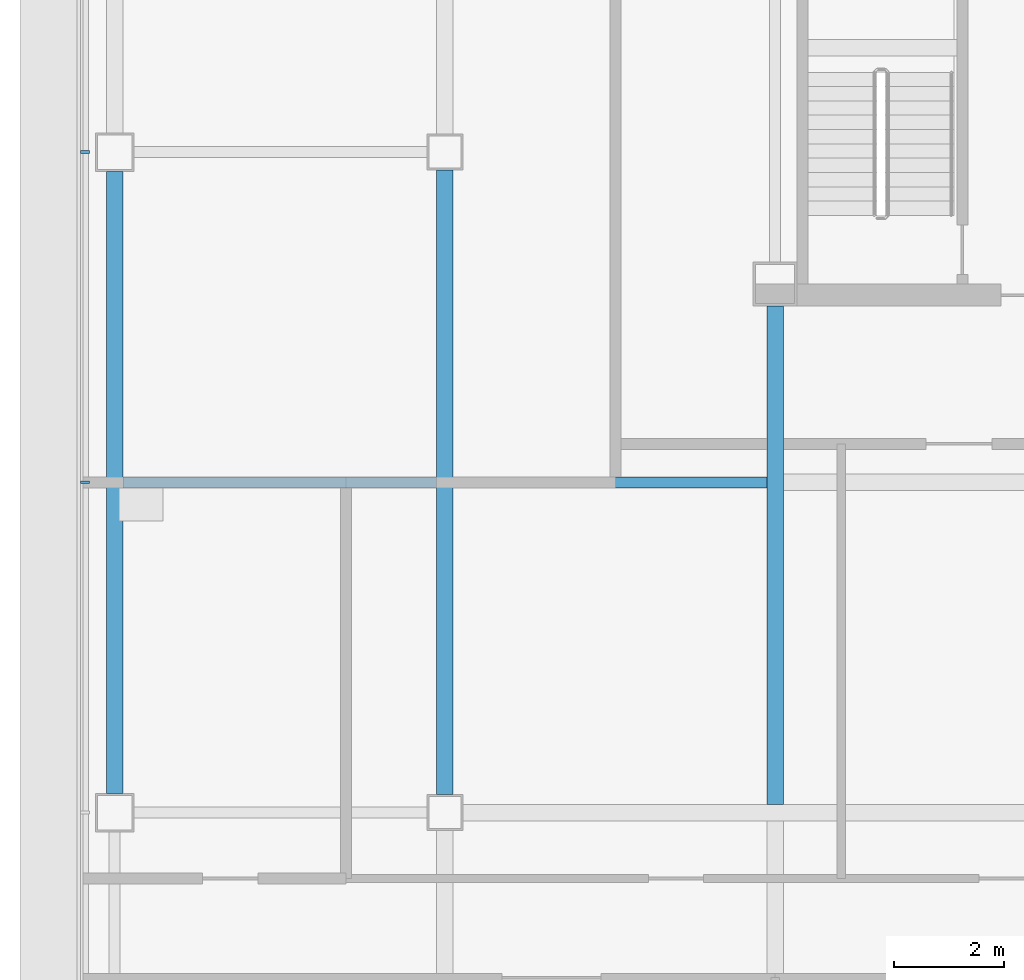
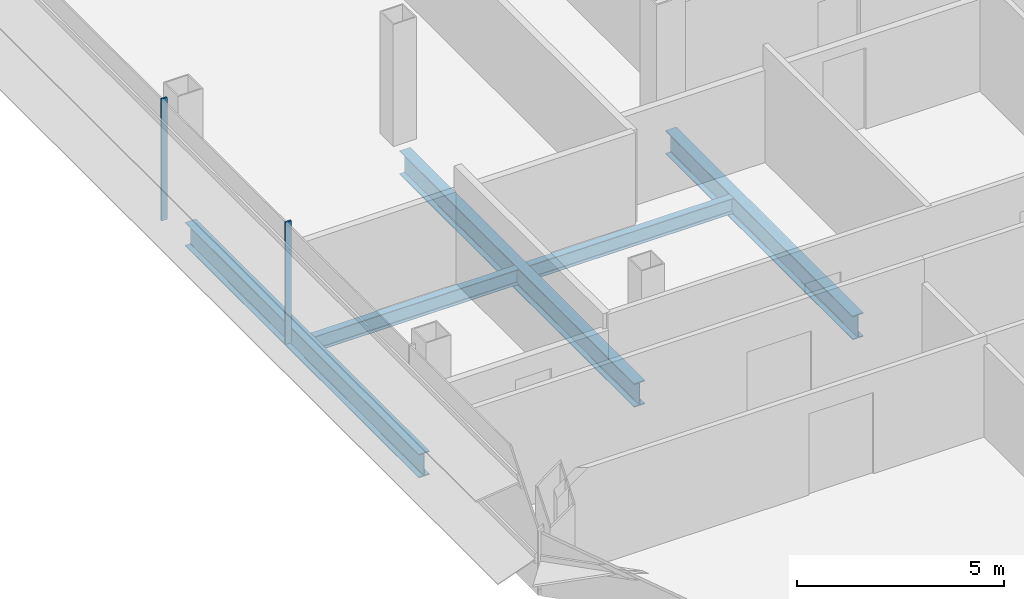
# One storey, part 4 of 26: 5 beams, 2 members, 1 element without a shape of its own.
"""IFC4 building model written with IfcOpenShell, lengths in metres."""

from ifc_helpers import new_model, si_unit, direction, frame, origin, origin_2d, place, context, subcontext, project, spatial, rectangle, i_section, extrude, material, material_profile, profile_set, type_object, element, aggregate, save


model = new_model("IFC4")

# Units and contexts
model_context = context("Model", 3, precision=1e-05, world=origin(), true_north=direction((0.0, 1.0)))
body_context = subcontext(model_context, "Body", "Model", "MODEL_VIEW")
ifc_project = project(units=[si_unit("LENGTHUNIT", "METRE"), si_unit("AREAUNIT", "SQUARE_METRE"), si_unit("VOLUMEUNIT", "CUBIC_METRE"), si_unit("PLANEANGLEUNIT", "RADIAN"), si_unit("MASSUNIT", "GRAM", prefix="KILO")], contexts=[model_context])

# Site, building, storey
site_placement = place(None, origin())
site = spatial("IfcSite", under=ifc_project, at=site_placement, CompositionType="ELEMENT")
building_placement = place(site_placement, origin())
building = spatial("IfcBuilding", under=site, at=building_placement, Name="Sorahane Residences", CompositionType="ELEMENT")
storey_placement = place(building_placement, frame((0.0, 0.0, 151.0)))
storey = spatial("IfcBuildingStorey", under=building, at=storey_placement, Name="L34", CompositionType="ELEMENT", Elevation=151.0)

# Curtain wall, members
ifc_material_1 = material(Name="Dark low-e glass and black anodised aluminium", Category="aluminium")
curtain_wall_type = type_object("IfcCurtainWallType", Name="Curtain wall CW-1 Typical unitised wall", PredefinedType="NOTDEFINED", material=ifc_material_1)
curtain_wall_placement = place(storey_placement, origin())
curtain_wall = element("IfcCurtainWall", 1, at=curtain_wall_placement, inside=storey, type_object=curtain_wall_type, Name="CW-1 curtain wall L34 W1", PredefinedType="NOTDEFINED")
ifc_material_2 = material(Name="Black anodised aluminium", Category="aluminium")
ifc_material_profile_1 = material_profile(ifc_material_2, rectangle(XDim=0.159912109375, YDim=0.050048828125, at=origin_2d()), Name="Curtain wall mullion CW-1 black anodised aluminium 50x160")
ifc_profile_set_1 = profile_set([ifc_material_profile_1], Name="Black anodised aluminium")
member_type = type_object("IfcMemberType", Name="Curtain wall mullion CW-1 black anodised aluminium 50x160", PredefinedType="MULLION", material=ifc_profile_set_1)
member_1_placement = place(storey_placement, frame((-6.5400390625, 24.0, -0.179931640625), z_axis=(0.0, 0.0, 1.0), x_axis=(-1.0, 0.0, 0.0)))
member_1 = element("IfcMember", 2, at=member_1_placement, type_object=member_type, Name="CW-1 mullion L34 W1.4", PredefinedType="MULLION", context=body_context, shape_type="SweptSolid", body=[
    extrude(rectangle(XDim=0.159912109375, YDim=0.050048828125, at=origin_2d()), origin(), (0.0, 0.0, 1.0), 3.599853515625),
])
member_2_placement = place(storey_placement, frame((-6.5400390625, 18.0, -0.179931640625), z_axis=(0.0, 0.0, 1.0), x_axis=(-1.0, 0.0, 0.0)))
member_2 = element("IfcMember", 3, at=member_2_placement, type_object=member_type, Name="CW-1 mullion L34 W1.5", PredefinedType="MULLION", context=body_context, shape_type="SweptSolid", body=[
    extrude(rectangle(XDim=0.159912109375, YDim=0.050048828125, at=origin_2d()), origin(), (0.0, 0.0, 1.0), 3.599853515625),
])
aggregate(curtain_wall, [member_1, member_2])

# Beams
ifc_material_3 = material(Name="Steel Q355B", Category="steel")
ifc_material_profile_2 = material_profile(ifc_material_3, i_section(OverallWidth=0.199951171875, OverallDepth=0.449951171875, WebThickness=0.009033203125, FlangeThickness=0.013916015625, FilletRadius=0.02001953125, at=origin_2d()), Name="HN 450x200x9x14")
ifc_profile_set_2 = profile_set([ifc_material_profile_2], Name="Steel Q355B")
beam_type_1 = type_object("IfcBeamType", Name="Steel floor beam HN 450x200x9x14 Q355B", PredefinedType="BEAM", material=ifc_profile_set_2)
for number, where, z_axis, x_axis, name in (
    (4, (-5.85009765625, 18.0, -0.405029296875), (1.0, 0.0, 0.0), (0.0, 1.0, 0.0), "Beam L34 078"),
    (5, (0.14990234375, 18.0, -0.405029296875), (1.0, 0.0, 0.0), (0.0, 1.0, 0.0), "Beam L34 079"),
):
    element("IfcBeam", number, at=place(storey_placement, frame(where, z_axis=z_axis, x_axis=x_axis)), inside=storey, type_object=beam_type_1, Name=name, PredefinedType="BEAM", context=body_context, shape_type="SweptSolid", body=[
        extrude(i_section(OverallWidth=0.199951171875, OverallDepth=0.449951171875, WebThickness=0.009033203125, FlangeThickness=0.013916015625, FilletRadius=0.02001953125, at=origin_2d()), origin(), (0.0, 0.0, 1.0), 5.7001953125),
    ])
ifc_material_4 = material(Name="Steel Q355B", Category="steel")
ifc_material_profile_3 = material_profile(ifc_material_4, i_section(OverallWidth=0.300048828125, OverallDepth=0.699951171875, WebThickness=0.012939453125, FlangeThickness=0.02392578125, FilletRadius=0.028076171875, at=origin_2d()), Name="HN 700x300x13x24")
ifc_profile_set_3 = profile_set([ifc_material_profile_3], Name="Steel Q355B")
beam_type_2 = type_object("IfcBeamType", Name="Steel floor beam HN 700x300x13x24 Q355B", PredefinedType="BEAM", material=ifc_profile_set_3)
beam_1_placement = place(storey_placement, frame((-6.0, 12.35009765625, -0.530029296875), z_axis=(0.0, 1.0, 0.0), x_axis=(-1.0, 0.0, 0.0)))
element("IfcBeam", 6, at=beam_1_placement, inside=storey, type_object=beam_type_2, Name="Beam L34 021", PredefinedType="BEAM", context=body_context, shape_type="SweptSolid", body=[
    extrude(i_section(OverallWidth=0.300048828125, OverallDepth=0.699951171875, WebThickness=0.012939453125, FlangeThickness=0.02392578125, FilletRadius=0.028076171875, at=origin_2d()), origin(), (0.0, 0.0, 1.0), 11.2998046875),
])
beam_2_placement = place(storey_placement, frame((0.0, 12.324951171875, -0.530029296875), z_axis=(0.0, 1.0, 0.0), x_axis=(-1.0, 0.0, 0.0)))
element("IfcBeam", 7, at=beam_2_placement, inside=storey, type_object=beam_type_2, Name="Beam L34 025", PredefinedType="BEAM", context=body_context, shape_type="SweptSolid", body=[
    extrude(i_section(OverallWidth=0.300048828125, OverallDepth=0.699951171875, WebThickness=0.012939453125, FlangeThickness=0.02392578125, FilletRadius=0.028076171875, at=origin_2d()), origin(), (0.0, 0.0, 1.0), 11.35009765625),
])
beam_3_placement = place(storey_placement, frame((6.0, 12.14990234375, -0.530029296875), z_axis=(0.0, 1.0, 0.0), x_axis=(-1.0, 0.0, 0.0)))
element("IfcBeam", 8, at=beam_3_placement, inside=storey, type_object=beam_type_2, Name="Beam L34 029", PredefinedType="BEAM", context=body_context, shape_type="SweptSolid", body=[
    extrude(i_section(OverallWidth=0.300048828125, OverallDepth=0.699951171875, WebThickness=0.012939453125, FlangeThickness=0.02392578125, FilletRadius=0.028076171875, at=origin_2d()), origin(), (0.0, 0.0, 1.0), 9.050048828125),
])

save(model, "model.ifc")
